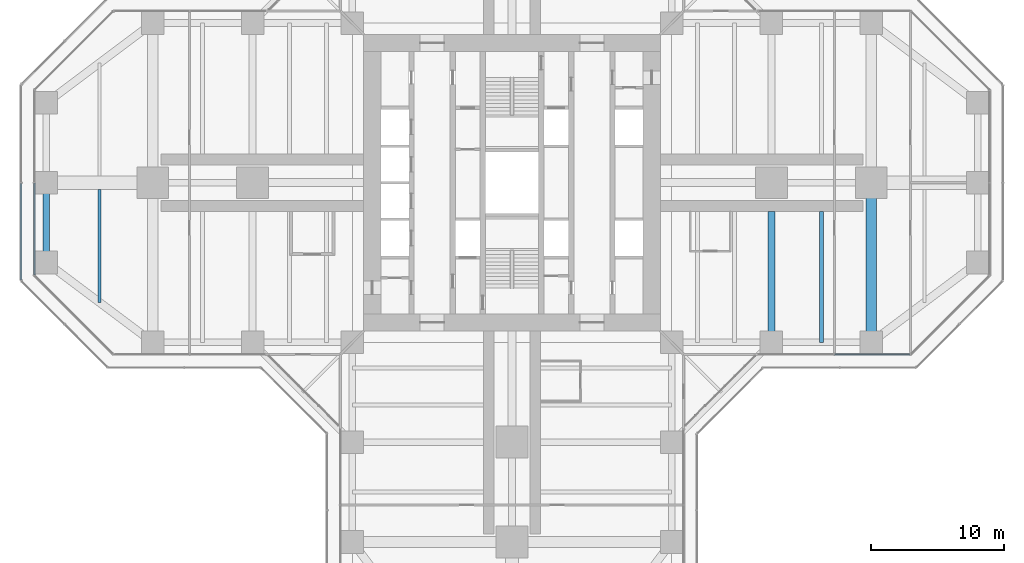
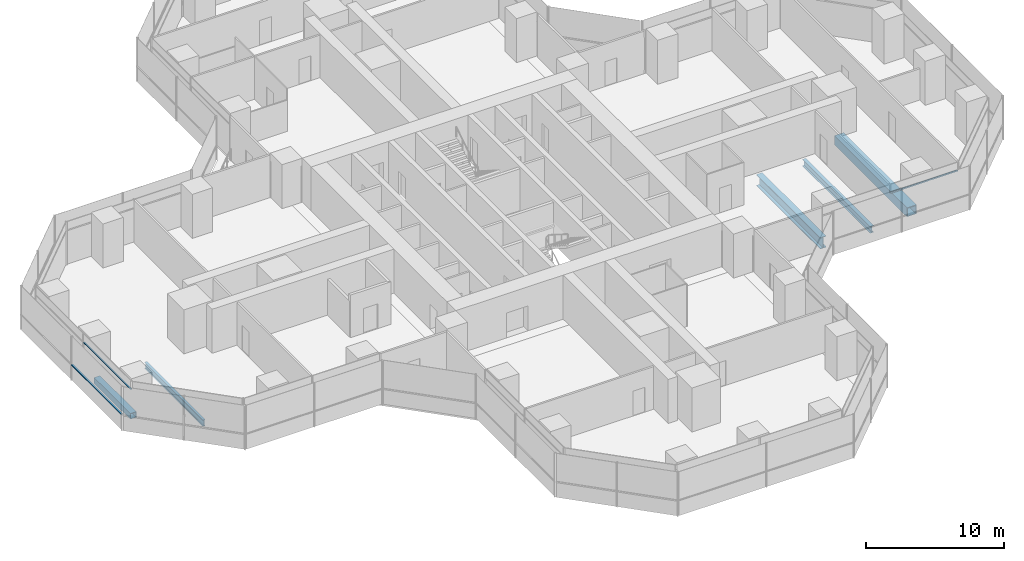
# One storey, part 7 of 22: 5 beams, 3 members, 3 elements without a shape of their own.
"""IFC4 building model written with IfcOpenShell, lengths in metres."""

import ifcopenshell
import ifcopenshell.guid

model = None  # the IFC model being written
_history = None  # IfcOwnerHistory: only IFC2X3 demands one
_inside = {}  # id of a spatial element -> (the spatial element, [elements in it])
_under = {}  # id of a project, library or spatial element -> (it, [spatial elements below it])
_declared = {}  # id of a project -> (the project, [libraries it declares])
_typed = {}  # id of a type object -> (the type object, [elements of that type])
_made_of = {}  # id of a material, layer set ... -> (it, [elements and type objects made of it])


def new_model(schema):
    """Start an empty IFC model of exactly this schema.

    Asked for "IFC4X3", IfcOpenShell would pick the latest addendum, in which some entities
    have other attributes; the version numbers below select the first issue.
    IFC2X3 requires an IfcOwnerHistory on every rooted entity: one is made here for all.
    """
    global model, _history
    if schema == "IFC4X3":
        model = ifcopenshell.file(schema_version=(4, 3, 0, 0))
    else:
        model = ifcopenshell.file(schema=schema)
    _inside.clear()
    _under.clear()
    _declared.clear()
    _typed.clear()
    _made_of.clear()
    _history = None
    if model.schema == "IFC2X3":
        org = make("IfcOrganization", Name="unknown")
        user = make(
            "IfcPersonAndOrganization",
            ThePerson=make("IfcPerson", FamilyName="unknown"),
            TheOrganization=org,
        )
        app = make(
            "IfcApplication",
            ApplicationDeveloper=org,
            Version="unknown",
            ApplicationFullName="unknown",
            ApplicationIdentifier="unknown",
        )
        _history = make(
            "IfcOwnerHistory",
            OwningUser=user,
            OwningApplication=app,
            ChangeAction="ADDED",
            CreationDate=0,
        )
    return model


def make(cls, **values):
    """One entity of the class cls with the attributes given. An attribute that is None is left unset."""
    return model.create_entity(
        cls, **{name: value for name, value in values.items() if value is not None}
    )


def rooted(cls, **values):
    """An entity with a GlobalId (a new one), such as an element, a storey or a relation."""
    return make(cls, GlobalId=ifcopenshell.guid.new(), OwnerHistory=_history, **values)


def si_unit(unit_type, name, prefix=None):
    """IfcSIUnit, for example si_unit("LENGTHUNIT", "METRE", prefix="MILLI")."""
    return make("IfcSIUnit", UnitType=unit_type, Prefix=prefix, Name=name)


def assignment(units):
    """IfcUnitAssignment: the units of a project."""
    return None if units is None else make("IfcUnitAssignment", Units=units)


def point(xyz):
    """IfcCartesianPoint."""
    return None if xyz is None else make("IfcCartesianPoint", Coordinates=xyz)


def direction(xyz):
    """IfcDirection."""
    return None if xyz is None else make("IfcDirection", DirectionRatios=xyz)


def frame(location, z_axis=None, x_axis=None):
    """IfcAxis2Placement3D, a coordinate frame: its origin and axes. An axis left out is left unset."""
    return make(
        "IfcAxis2Placement3D",
        Location=point(location),
        Axis=direction(z_axis),
        RefDirection=direction(x_axis),
    )


def frame_2d(location, x_axis=None):
    """IfcAxis2Placement2D, a coordinate frame in the plane: its origin and x axis."""
    return make(
        "IfcAxis2Placement2D", Location=point(location), RefDirection=direction(x_axis)
    )


def origin():
    """The frame at (0, 0, 0) with its axes left unset."""
    return frame((0.0, 0.0, 0.0))


def origin_2d():
    """The frame at (0, 0) in the plane with its x axis left unset."""
    return frame_2d((0.0, 0.0))


def place(relative_to, where):
    """IfcLocalPlacement: puts the frame where relative to a parent placement (None: the world)."""
    return make(
        "IfcLocalPlacement", PlacementRelTo=relative_to, RelativePlacement=where
    )


def context(
    kind, dimensions, precision=None, world=None, true_north=None, identifier=None
):
    """IfcGeometricRepresentationContext, for example the 3D "Model" context."""
    return make(
        "IfcGeometricRepresentationContext",
        ContextIdentifier=identifier,
        ContextType=kind,
        CoordinateSpaceDimension=dimensions,
        Precision=precision,
        WorldCoordinateSystem=world,
        TrueNorth=true_north,
    )


def subcontext(parent, identifier, kind, view, scale=None):
    """IfcGeometricRepresentationSubContext, for example "Body" below "Model"."""
    return make(
        "IfcGeometricRepresentationSubContext",
        ContextIdentifier=identifier,
        ContextType=kind,
        ParentContext=parent,
        TargetScale=scale,
        TargetView=view,
    )


def project(units=None, contexts=None):
    """IfcProject with its units and contexts."""
    return rooted(
        "IfcProject",
        Name="project",
        RepresentationContexts=contexts,
        UnitsInContext=assignment(units),
    )


def spatial(cls, under=None, at=None, **own):
    """A site, building, storey or space (cls), placed at a placement, below another one or the project."""
    s = rooted(cls, ObjectPlacement=at, **own)
    if under is not None:
        _under.setdefault(under.id(), (under, []))[1].append(s)
    return s


def profile(cls, at=None, kind="AREA", **sizes):
    """A parametric profile (cls). Its sizes go by their IFC names, for example OverallWidth=200.0."""
    return make(cls, ProfileType=kind, Position=at, **sizes)


def rectangle(**sizes):
    """IfcRectangleProfileDef."""
    return profile("IfcRectangleProfileDef", **sizes)


def hollow_rectangle(**sizes):
    """IfcRectangleHollowProfileDef."""
    return profile("IfcRectangleHollowProfileDef", **sizes)


def i_section(**sizes):
    """IfcIShapeProfileDef."""
    return profile("IfcIShapeProfileDef", **sizes)


def extrude(swept, where, along, depth):
    """IfcExtrudedAreaSolid: the profile swept, set in the frame where, extruded along a direction by depth."""
    return make(
        "IfcExtrudedAreaSolid",
        SweptArea=swept,
        Position=where,
        ExtrudedDirection=direction(along),
        Depth=depth,
    )


def shape(context_of_items, identifier, shape_type, items):
    """IfcShapeRepresentation: the items that make up one representation, for example the "Body"."""
    return make(
        "IfcShapeRepresentation",
        ContextOfItems=context_of_items,
        RepresentationIdentifier=identifier,
        RepresentationType=shape_type,
        Items=items,
    )


def material(Name=None, Category=None):
    """IfcMaterial."""
    return make("IfcMaterial", Name=Name, Category=Category)


def material_profile(
    of_material, cross_section, Name=None, Category=None, Priority=None
):
    """IfcMaterialProfile: a cross section and its material."""
    return make(
        "IfcMaterialProfile",
        Name=Name,
        Material=of_material,
        Profile=cross_section,
        Priority=Priority,
        Category=Category,
    )


def profile_set(profiles, Name=None, composite=None):
    """IfcMaterialProfileSet."""
    return make(
        "IfcMaterialProfileSet",
        Name=Name,
        MaterialProfiles=profiles,
        CompositeProfile=composite,
    )


def made_of(thing, what):
    """Note that an element or type object is made of a material, layer set ...; save() writes the relation."""
    if what is not None:
        _made_of.setdefault(what.id(), (what, []))[1].append(thing)
    return thing


def type_object(cls, material=None, **own):
    """A type object (cls), such as IfcWallType, which elements share."""
    return made_of(rooted(cls, **own), material)


def element(
    cls,
    number,
    at=None,
    inside=None,
    cuts=None,
    type_object=None,
    material=None,
    context=None,
    identifier="Body",
    shape_type=None,
    held_by="IfcProductDefinitionShape",
    body=None,
    shapes=None,
    **own,
):
    """One element of the class cls, such as IfcWall. Its Tag is "e" and its number.

    at: its placement. inside: the storey or other place that contains it. cuts: it is an
    opening in that element (IfcRelVoidsElement). A single representation is given by context,
    identifier, shape_type and body (its items); several are given by shapes. held_by: the class
    of the entity that holds the representations. save() writes the other relations.
    """
    e = rooted(cls, Tag="e%d" % number, ObjectPlacement=at, **own)
    if body is not None:
        shapes = [shape(context, identifier, shape_type, body)]
    if shapes is not None:
        e.Representation = make(held_by, Representations=shapes)
    if inside is not None:
        _inside.setdefault(inside.id(), (inside, []))[1].append(e)
    if cuts is not None:
        rooted(
            "IfcRelVoidsElement", RelatingBuildingElement=cuts, RelatedOpeningElement=e
        )
    if type_object is not None:
        _typed.setdefault(type_object.id(), (type_object, []))[1].append(e)
    return made_of(e, material)


def aggregate(whole, parts):
    """IfcRelAggregates: a whole, such as a stair, and the parts it consists of."""
    return rooted("IfcRelAggregates", RelatingObject=whole, RelatedObjects=parts)


def save(model, path):
    """Write the relations noted so far, then the file.

    IfcRelAggregates (storeys below a building ...), IfcRelContainedInSpatialStructure (elements
    in a storey), IfcRelDefinesByType, IfcRelAssociatesMaterial and IfcRelDeclares: one each for
    every whole, place, type object, material and project.
    """
    for whole, parts in _under.values():
        aggregate(whole, parts)
    for where, things in _inside.values():
        rooted(
            "IfcRelContainedInSpatialStructure",
            RelatedElements=things,
            RelatingStructure=where,
        )
    for kind, things in _typed.values():
        rooted("IfcRelDefinesByType", RelatedObjects=things, RelatingType=kind)
    for what, things in _made_of.values():
        rooted("IfcRelAssociatesMaterial", RelatedObjects=things, RelatingMaterial=what)
    for by, libraries in _declared.values():
        rooted("IfcRelDeclares", RelatingContext=by, RelatedDefinitions=libraries)
    model.write(path)


model = new_model("IFC4")

# Units and contexts
model_context = context("Model", 3, precision=1e-05, world=origin(), true_north=direction((0.0, 1.0)))
body_context = subcontext(model_context, "Body", "Model", "MODEL_VIEW")
ifc_project = project(units=[si_unit("LENGTHUNIT", "METRE"), si_unit("AREAUNIT", "SQUARE_METRE"), si_unit("VOLUMEUNIT", "CUBIC_METRE"), si_unit("PLANEANGLEUNIT", "RADIAN"), si_unit("MASSUNIT", "GRAM", prefix="KILO")], contexts=[model_context])

# Site, building, storey
site_placement = place(None, origin())
site = spatial("IfcSite", under=ifc_project, at=site_placement, CompositionType="ELEMENT")
building_placement = place(site_placement, origin())
building = spatial("IfcBuilding", under=site, at=building_placement, Name="Mizan Broadcast Tower", CompositionType="ELEMENT")
storey_placement = place(building_placement, frame((0.0, 0.0, 102.0)))
storey = spatial("IfcBuildingStorey", under=building, at=storey_placement, Name="L22", CompositionType="ELEMENT", Elevation=102.0)

# Beams
ifc_material_1 = material(Name="Steel S355", Category="steel")
ifc_material_profile_1 = material_profile(ifc_material_1, hollow_rectangle(XDim=0.5, YDim=0.5, WallThickness=0.030029296875, at=origin_2d()), Name="BOX 500x500x30")
ifc_profile_set_1 = profile_set([ifc_material_profile_1], Name="Steel S355")
beam_type_1 = type_object("IfcBeamType", Name="EDGE BEAM BOX 500x500x30", PredefinedType="SPANDREL", material=ifc_profile_set_1)
beam_1_placement = place(storey_placement, frame((-35.0, -5.639892578125, -0.3798828125), z_axis=(0.0, 1.0, 0.0), x_axis=(-1.0, 0.0, 0.0)))
element("IfcBeam", 1, at=beam_1_placement, inside=storey, type_object=beam_type_1, Name="Edge beam BOX 500x500x30 L22 west arm", PredefinedType="SPANDREL", context=body_context, shape_type="SweptSolid", body=[
    extrude(hollow_rectangle(XDim=0.5, YDim=0.5, WallThickness=0.030029296875, at=origin_2d()), origin(), (0.0, 0.0, 1.0), 5.27978515625),
])
ifc_material_2 = material(Name="Steel S460", Category="steel")
ifc_material_profile_2 = material_profile(ifc_material_2, hollow_rectangle(XDim=0.800048828125, YDim=0.800048828125, WallThickness=0.050048828125, at=origin_2d()), Name="BOX 800x800x50")
ifc_profile_set_2 = profile_set([ifc_material_profile_2], Name="Steel S460")
beam_type_2 = type_object("IfcBeamType", Name="GIRDER BOX 800x800x50", PredefinedType="BEAM", material=ifc_profile_set_2)
beam_2_placement = place(storey_placement, frame((27.0, -11.280029296875, -0.530029296875), z_axis=(0.0, 1.0, 0.0), x_axis=(-1.0, 0.0, 0.0)))
element("IfcBeam", 2, at=beam_2_placement, inside=storey, type_object=beam_type_2, Name="Girder BOX 800x800x50 L22 east arm", PredefinedType="BEAM", context=body_context, shape_type="SweptSolid", body=[
    extrude(hollow_rectangle(XDim=0.800048828125, YDim=0.800048828125, WallThickness=0.050048828125, at=origin_2d()), origin(), (0.0, 0.0, 1.0), 10.56005859375),
])
ifc_material_3 = material(Name="Steel S460", Category="steel")
ifc_material_profile_3 = material_profile(ifc_material_3, i_section(OverallWidth=0.5, OverallDepth=1.0, WebThickness=0.02490234375, FlangeThickness=0.050048828125, at=origin_2d()), Name="WPG 1000x500")
ifc_profile_set_3 = profile_set([ifc_material_profile_3], Name="Steel S460")
beam_type_3 = type_object("IfcBeamType", Name="GIRDER WPG 1000x500", PredefinedType="BEAM", material=ifc_profile_set_3)
beam_3_placement = place(storey_placement, frame((19.5, -11.408935546875, -0.6298828125), z_axis=(0.0, 1.0, 0.0), x_axis=(-1.0, 0.0, 0.0)))
element("IfcBeam", 3, at=beam_3_placement, inside=storey, type_object=beam_type_3, Name="Girder WPG 1000x500 L22 east arm", PredefinedType="BEAM", context=body_context, shape_type="SweptSolid", body=[
    extrude(i_section(OverallWidth=0.5, OverallDepth=1.0, WebThickness=0.02490234375, FlangeThickness=0.050048828125, at=origin_2d()), origin(), (0.0, 0.0, 1.0), 9.259033203125),
])

# Curtain wall, member
ifc_material_4 = material(Name="Aluminium framed glazing", Category="aluminium")
curtain_wall_type_1 = type_object("IfcCurtainWallType", Name="INNER SKIN LOW ZONE", PredefinedType="USERDEFINED", material=ifc_material_4)
curtain_wall_1_placement = place(storey_placement, origin())
curtain_wall_1 = element("IfcCurtainWall", 4, at=curtain_wall_1_placement, inside=storey, type_object=curtain_wall_type_1, Name="Inner skin low zone L22 E side", ObjectType="INNER SKIN LOW ZONE", PredefinedType="USERDEFINED")
ifc_material_5 = material(Name="Aluminium, pale anodised", Category="aluminium")
ifc_material_profile_4 = material_profile(ifc_material_5, rectangle(XDim=0.1201171875, YDim=0.06005859375, at=origin_2d()), Name="TRANSOM 120x60")
ifc_profile_set_4 = profile_set([ifc_material_profile_4], Name="Aluminium, pale anodised")
member_type_1 = type_object("IfcMemberType", Name="INNER SKIN TRANSOM 60x120", PredefinedType="USERDEFINED", material=ifc_profile_set_4)
member_1_placement = place(storey_placement, frame((24.25927734375, -12.89990234375, 3.030029296875), z_axis=(1.0, 0.0, 0.0), x_axis=(0.0, 1.0, 0.0)))
member_1 = element("IfcMember", 5, at=member_1_placement, type_object=member_type_1, Name="Inner skin low zone L22 E side transom 2.1", ObjectType="TRANSOM", PredefinedType="USERDEFINED", context=body_context, shape_type="SweptSolid", body=[
    extrude(rectangle(XDim=0.1201171875, YDim=0.06005859375, at=origin_2d()), origin(), (0.0, 0.0, 1.0), 5.639404296875),
])
aggregate(curtain_wall_1, [member_1])

curtain_wall_2_placement = place(storey_placement, origin())
curtain_wall_2 = element("IfcCurtainWall", 6, at=curtain_wall_2_placement, inside=storey, type_object=curtain_wall_type_1, Name="Inner skin low zone L22 W end", ObjectType="INNER SKIN LOW ZONE", PredefinedType="USERDEFINED")
member_2_placement = place(storey_placement, frame((-35.89990234375, -0.030029296875, 3.030029296875), z_axis=(0.0, -1.0, 0.0), x_axis=(1.0, 0.0, 0.0)))
member_2 = element("IfcMember", 7, at=member_2_placement, type_object=member_type_1, Name="Inner skin low zone L22 W end transom 2.1", ObjectType="TRANSOM", PredefinedType="USERDEFINED", context=body_context, shape_type="SweptSolid", body=[
    extrude(rectangle(XDim=0.1201171875, YDim=0.06005859375, at=origin_2d()), origin(), (0.0, 0.0, 1.0), 6.86865234375),
])
aggregate(curtain_wall_2, [member_2])

ifc_material_6 = material(Name="Aluminium framed glazing", Category="aluminium")
curtain_wall_type_2 = type_object("IfcCurtainWallType", Name="OUTER SKIN", PredefinedType="USERDEFINED", material=ifc_material_6)
curtain_wall_3_placement = place(storey_placement, origin())
curtain_wall_3 = element("IfcCurtainWall", 8, at=curtain_wall_3_placement, inside=storey, type_object=curtain_wall_type_2, Name="Outer skin L22 W end", ObjectType="OUTER SKIN", PredefinedType="USERDEFINED")
ifc_material_7 = material(Name="Aluminium, pale anodised", Category="aluminium")
ifc_material_profile_5 = material_profile(ifc_material_7, rectangle(XDim=0.159912109375, YDim=0.06005859375, at=origin_2d()), Name="TRANSOM 160x60")
ifc_profile_set_5 = profile_set([ifc_material_profile_5], Name="Aluminium, pale anodised")
member_type_2 = type_object("IfcMemberType", Name="OUTER SKIN TRANSOM 60x160", PredefinedType="USERDEFINED", material=ifc_profile_set_5)
member_3_placement = place(storey_placement, frame((-36.89990234375, -0.0400390625, 1.39990234375), z_axis=(0.0, -1.0, 0.0), x_axis=(1.0, 0.0, 0.0)))
member_3 = element("IfcMember", 9, at=member_3_placement, type_object=member_type_2, Name="Outer skin L22 W end transom 2.1", ObjectType="TRANSOM", PredefinedType="USERDEFINED", context=body_context, shape_type="SweptSolid", body=[
    extrude(rectangle(XDim=0.159912109375, YDim=0.06005859375, at=origin_2d()), origin(), (0.0, 0.0, 1.0), 7.252685546875),
])
aggregate(curtain_wall_3, [member_3])

# Beams
ifc_material_8 = material(Name="Steel S355", Category="steel")
ifc_material_profile_6 = material_profile(ifc_material_8, i_section(OverallWidth=0.300048828125, OverallDepth=0.590087890625, WebThickness=0.012939453125, FlangeThickness=0.02490234375, FilletRadius=0.027099609375, at=origin_2d()), Name="HEA 600")
ifc_profile_set_6 = profile_set([ifc_material_profile_6], Name="Steel S355")
beam_type_4 = type_object("IfcBeamType", Name="SECONDARY BEAM HEA 600", PredefinedType="JOIST", material=ifc_profile_set_6)
beam_4_placement = place(storey_placement, frame((23.25, -12.0, -0.425048828125), z_axis=(0.0, 1.0, 0.0), x_axis=(-1.0, 0.0, 0.0)))
element("IfcBeam", 10, at=beam_4_placement, inside=storey, type_object=beam_type_4, Name="Secondary beam HEA 600 L22 east arm", PredefinedType="JOIST", context=body_context, shape_type="SweptSolid", body=[
    extrude(i_section(OverallWidth=0.300048828125, OverallDepth=0.590087890625, WebThickness=0.012939453125, FlangeThickness=0.02490234375, FilletRadius=0.027099609375, at=origin_2d()), origin(), (0.0, 0.0, 1.0), 9.85009765625),
])
ifc_material_9 = material(Name="Steel S355", Category="steel")
ifc_material_profile_7 = material_profile(ifc_material_9, i_section(OverallWidth=0.2099609375, OverallDepth=0.550048828125, WebThickness=0.010986328125, FlangeThickness=0.01708984375, FilletRadius=0.02392578125, at=origin_2d()), Name="IPE 550")
ifc_profile_set_7 = profile_set([ifc_material_profile_7], Name="Steel S355")
beam_type_5 = type_object("IfcBeamType", Name="SECONDARY BEAM IPE 550", PredefinedType="JOIST", material=ifc_profile_set_7)
beam_5_placement = place(storey_placement, frame((-31.0, -9.0, -0.405029296875), z_axis=(0.0, 1.0, 0.0), x_axis=(-1.0, 0.0, 0.0)))
element("IfcBeam", 11, at=beam_5_placement, inside=storey, type_object=beam_type_5, Name="Secondary beam IPE 550 L22 west arm", PredefinedType="JOIST", context=body_context, shape_type="SweptSolid", body=[
    extrude(i_section(OverallWidth=0.2099609375, OverallDepth=0.550048828125, WebThickness=0.010986328125, FlangeThickness=0.01708984375, FilletRadius=0.02392578125, at=origin_2d()), origin(), (0.0, 0.0, 1.0), 8.5),
])

save(model, "model.ifc")
